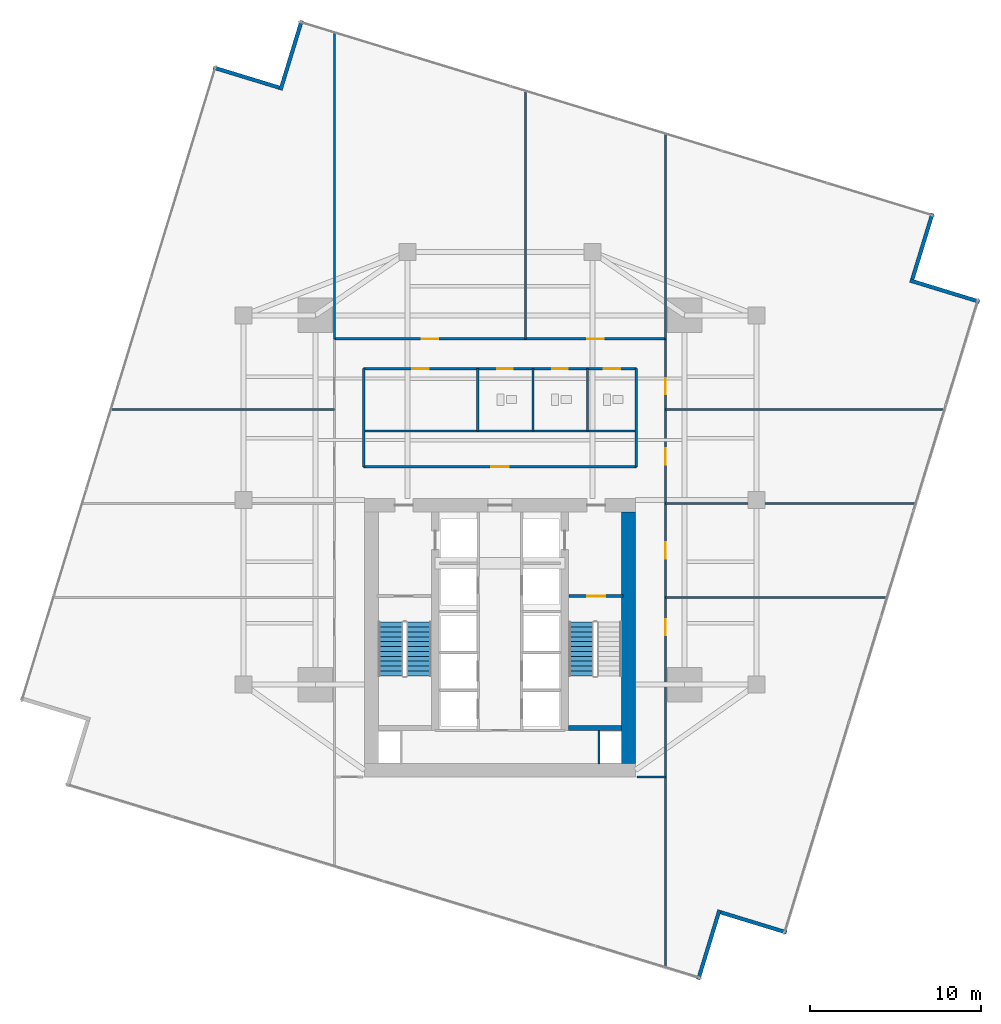
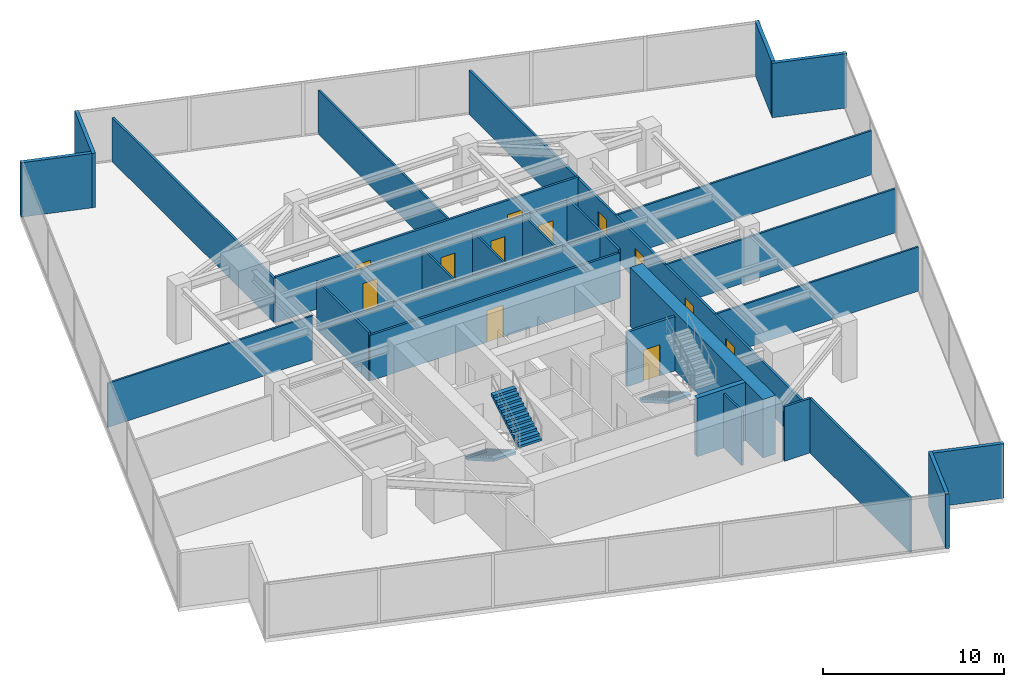
# One storey, part 23 of 26: 29 walls, 12 doors, 3 stair flights, 12 openings, 2 elements without a shape of their own.
"""IFC4 building model written with IfcOpenShell, lengths in metres."""

from ifc_helpers import new_model, si_unit, direction, frame, frame_2d, origin, place, context, subcontext, project, spatial, polyline, rectangle, outline, extrude, material, layer, layer_set, type_object, element, fill, aggregate, save


model = new_model("IFC4")

# Units and contexts
model_context = context("Model", 3, precision=1e-05, world=origin(), true_north=direction((0.0, 1.0)))
body_context = subcontext(model_context, "Body", "Model", "MODEL_VIEW")
ifc_project = project(units=[si_unit("LENGTHUNIT", "METRE"), si_unit("AREAUNIT", "SQUARE_METRE"), si_unit("VOLUMEUNIT", "CUBIC_METRE"), si_unit("PLANEANGLEUNIT", "RADIAN"), si_unit("MASSUNIT", "GRAM", prefix="KILO")], contexts=[model_context])

# Site, building, storey
site_placement = place(None, origin())
site = spatial("IfcSite", under=ifc_project, at=site_placement, CompositionType="ELEMENT")
building_placement = place(site_placement, origin())
building = spatial("IfcBuilding", under=site, at=building_placement, Name="Krantzveldt Concourse Tower", CompositionType="ELEMENT")
storey_placement = place(building_placement, frame((0.0, 0.0, 113.75)))
storey = spatial("IfcBuildingStorey", under=building, at=storey_placement, Name="L27", CompositionType="ELEMENT", Elevation=113.75)

# Walls
ifc_material_1 = material(Name="Anodised aluminium 6063-T6", Category="aluminium")
ifc_layer_1 = layer(ifc_material_1, 0.219970703125, Name="Anodised aluminium 6063-T6", Category="aluminium")
ifc_layer_set_1 = layer_set([ifc_layer_1], Name="Anodised aluminium 6063-T6 (WL-EXT-NOTCH220)")
wall_type_1 = type_object("IfcWallType", Name="WL-EXT-NOTCH220", PredefinedType="ELEMENTEDWALL", material=ifc_layer_set_1)
wall_1_placement = place(storey_placement, frame((23.087646484375, 50.819091796875, 0.0), z_axis=(0.0, 0.0, 1.0), x_axis=(-0.956307298529, 0.292363388235, 0.0)))
element("IfcWall", 1, at=wall_1_placement, inside=storey, type_object=wall_type_1, Name="EW-L27-NCH00", PredefinedType="ELEMENTEDWALL", context=body_context, shape_type="SweptSolid", body=[
    extrude(rectangle(XDim=4.02490234375, YDim=0.219970703125, at=frame_2d((2.012451171875, 0.0))), origin(), (0.0, 0.0, 1.0), 3.669921875),
])
wall_2_placement = place(storey_placement, frame((47.598388671875, -1.34130859375, 0.0), z_axis=(0.0, 0.0, 1.0), x_axis=(0.292335425197, 0.956315846975, 0.0)))
element("IfcWall", 2, at=wall_2_placement, inside=storey, type_object=wall_type_1, Name="EW-L27-NCH05", PredefinedType="ELEMENTEDWALL", context=body_context, shape_type="SweptSolid", body=[
    extrude(rectangle(XDim=4.2451171875, YDim=0.219970703125, at=frame_2d((2.12255859375, 0.0))), origin(), (0.0, 0.0, 1.0), 3.669921875),
])
wall_3_placement = place(storey_placement, frame((48.912353515625, 2.580810546875, 0.0), z_axis=(0.0, 0.0, 1.0), x_axis=(0.956307298529, -0.292363388235, 0.0)))
element("IfcWall", 3, at=wall_3_placement, inside=storey, type_object=wall_type_1, Name="EW-L27-NCH06", PredefinedType="ELEMENTEDWALL", context=body_context, shape_type="SweptSolid", body=[
    extrude(rectangle(XDim=4.02490234375, YDim=0.219970703125, at=frame_2d((2.012451171875, 0.0))), origin(), (0.0, 0.0, 1.0), 3.669921875),
])
wall_4_placement = place(storey_placement, frame((64.041259765625, 38.29833984375, 0.0), z_axis=(0.0, 0.0, 1.0), x_axis=(-0.95629976735, 0.292388021242, 0.0)))
element("IfcWall", 4, at=wall_4_placement, inside=storey, type_object=wall_type_1, Name="EW-L27-NCH08", PredefinedType="ELEMENTEDWALL", context=body_context, shape_type="SweptSolid", body=[
    extrude(rectangle(XDim=4.2451171875, YDim=0.219970703125, at=frame_2d((2.12255859375, 0.0))), origin(), (0.0, 0.0, 1.0), 3.669921875),
])
wall_5_placement = place(storey_placement, frame((60.119140625, 39.612548828125, 0.0), z_axis=(0.0, 0.0, 1.0), x_axis=(0.292363388235, 0.956307298529, 0.0)))
element("IfcWall", 5, at=wall_5_placement, inside=storey, type_object=wall_type_1, Name="EW-L27-NCH09", PredefinedType="ELEMENTEDWALL", context=body_context, shape_type="SweptSolid", body=[
    extrude(rectangle(XDim=4.02490234375, YDim=0.219970703125, at=frame_2d((2.012451171875, 0.0))), origin(), (0.0, 0.0, 1.0), 3.669921875),
])
wall_6_placement = place(storey_placement, frame((24.401611328125, 54.7412109375, 0.0), z_axis=(0.0, 0.0, 1.0), x_axis=(-0.292351504488, -0.956310931561, 0.0)))
element("IfcWall", 6, at=wall_6_placement, inside=storey, type_object=wall_type_1, Name="EW-L27-NCH11", PredefinedType="ELEMENTEDWALL", context=body_context, shape_type="SweptSolid", body=[
    extrude(rectangle(XDim=4.244873046875, YDim=0.219970703125, at=frame_2d((2.12255859375, 0.0))), origin(), (0.0, 0.0, 1.0), 3.669921875),
])
ifc_material_2 = material(Name="Fire-rated gypsum plasterboard on steel stud", Category="steel")
ifc_layer_2 = layer(ifc_material_2, 0.1201171875, Name="Fire-rated gypsum plasterboard on steel stud", Category="steel")
ifc_layer_set_2 = layer_set([ifc_layer_2], Name="Fire-rated gypsum plasterboard on steel stud (WL-PART-120)")
wall_type_2 = type_object("IfcWallType", Name="WL-PART-120", PredefinedType="PARTITIONING", material=ifc_layer_set_2)
wall_7_placement = place(storey_placement, frame((28.02001953125, 30.739990234375, 0.0), z_axis=(0.0, 0.0, 1.0), x_axis=(1.0, 0.0, 0.0)))
element("IfcWall", 7, at=wall_7_placement, inside=storey, type_object=wall_type_2, Name="WP-L27-ISLM", PredefinedType="PARTITIONING", context=body_context, shape_type="SweptSolid", body=[
    extrude(rectangle(XDim=15.9599609375, YDim=0.1201171875, at=frame_2d((7.97998046875, 0.0))), origin(), (0.0, 0.0, 1.0), 3.080078125),
])
for number, where, z_axis, x_axis, name in (
    (8, (37.919921875, 30.739990234375, 0.0), (0.0, 0.0, 1.0), (0.0, 1.0, 0.0), "WP-L27-WCD1"),
    (9, (41.1201171875, 30.739990234375, 0.0), (0.0, 0.0, 1.0), (0.0, 1.0, 0.0), "WP-L27-WCD2"),
    (10, (34.699951171875, 30.739990234375, 0.0), (0.0, 0.0, 1.0), (0.0, 1.0, 0.0), "WP-L27-WCD3"),
):
    element("IfcWall", number, at=place(storey_placement, frame(where, z_axis=z_axis, x_axis=x_axis)), inside=storey, type_object=wall_type_2, Name=name, PredefinedType="PARTITIONING", context=body_context, shape_type="SweptSolid", body=[
        extrude(rectangle(XDim=3.639892578125, YDim=0.1201171875, at=frame_2d((1.81982421875, 0.0))), origin(), (0.0, 0.0, 1.0), 3.169921875),
    ])
wall_8_placement = place(storey_placement, frame((37.5, 36.1201171875, 0.0), z_axis=(0.0, 0.0, 1.0), x_axis=(0.0, 1.0, 0.0)))
element("IfcWall", 11, at=wall_8_placement, inside=storey, type_object=wall_type_2, Name="WP-L27-ND1", PredefinedType="PARTITIONING", context=body_context, shape_type="SweptSolid", body=[
    extrude(rectangle(XDim=14.496337890625, YDim=0.1201171875, at=frame_2d((7.248046875, 0.0))), origin(), (0.0, 0.0, 1.0), 2.969970703125),
])
wall_9_placement = place(storey_placement, frame((13.245361328125, 32.0, 0.0), z_axis=(0.0, 0.0, 1.0), x_axis=(1.0, 0.0, 0.0)))
element("IfcWall", 12, at=wall_9_placement, inside=storey, type_object=wall_type_2, Name="WP-L27-WD3", PredefinedType="PARTITIONING", context=body_context, shape_type="SweptSolid", body=[
    extrude(rectangle(XDim=13.07470703125, YDim=0.1201171875, at=frame_2d((6.537353515625, 0.0))), origin(), (0.0, 0.0, 1.0), 2.969970703125),
])
wall_10_placement = place(storey_placement, frame((45.679931640625, 21.0, 0.0), z_axis=(0.0, 0.0, 1.0), x_axis=(1.0, 0.0, 0.0)))
element("IfcWall", 13, at=wall_10_placement, inside=storey, type_object=wall_type_2, Name="WP-L27-ED1", PredefinedType="PARTITIONING", context=body_context, shape_type="SweptSolid", body=[
    extrude(rectangle(XDim=12.952392578125, YDim=0.1201171875, at=frame_2d((6.47607421875, 0.0))), origin(), (0.0, 0.0, 1.0), 2.969970703125),
])
wall_11_placement = place(storey_placement, frame((45.679931640625, 26.5, 0.0), z_axis=(0.0, 0.0, 1.0), x_axis=(1.0, 0.0, 0.0)))
element("IfcWall", 14, at=wall_11_placement, inside=storey, type_object=wall_type_2, Name="WP-L27-ED2", PredefinedType="PARTITIONING", context=body_context, shape_type="SweptSolid", body=[
    extrude(rectangle(XDim=14.634033203125, YDim=0.1201171875, at=frame_2d((7.31689453125, 0.0))), origin(), (0.0, 0.0, 1.0), 2.969970703125),
])
wall_12_placement = place(storey_placement, frame((45.679931640625, 32.0, 0.0), z_axis=(0.0, 0.0, 1.0), x_axis=(1.0, 0.0, 0.0)))
element("IfcWall", 15, at=wall_12_placement, inside=storey, type_object=wall_type_2, Name="WP-L27-ED3", PredefinedType="PARTITIONING", context=body_context, shape_type="SweptSolid", body=[
    extrude(rectangle(XDim=16.3154296875, YDim=0.1201171875, at=frame_2d((8.15771484375, 0.0))), origin(), (0.0, 0.0, 1.0), 2.969970703125),
])

# Wall, opening, door
ifc_layer_3 = layer(ifc_material_2, 0.139892578125, Name="Fire-rated gypsum plasterboard on steel stud", Category="steel")
ifc_layer_set_3 = layer_set([ifc_layer_3], Name="Fire-rated gypsum plasterboard on steel stud (WL-PART-140)")
wall_type_3 = type_object("IfcWallType", Name="WL-PART-140", PredefinedType="PARTITIONING", material=ifc_layer_set_3)
wall_13_placement = place(storey_placement, frame((28.02001953125, 28.639892578125, 0.0), z_axis=(0.0, 0.0, 1.0), x_axis=(1.0, 0.0, 0.0)))
wall_13 = element("IfcWall", 16, at=wall_13_placement, inside=storey, type_object=wall_type_3, Name="WP-L27-ISLS", PredefinedType="PARTITIONING", context=body_context, shape_type="SweptSolid", body=[
    extrude(rectangle(XDim=15.9599609375, YDim=0.139892578125, at=frame_2d((7.97998046875, 0.0))), origin(), (0.0, 0.0, 1.0), 3.080078125),
])
opening_1_placement = place(wall_13_placement, frame((7.455078125, 0.0, 0.0)))
opening_1 = element("IfcOpeningElement", 17, at=opening_1_placement, cuts=wall_13, Name="Opening D-IN105", PredefinedType="OPENING", context=body_context, shape_type="SweptSolid", body=[
    extrude(rectangle(XDim=1.050048828125, YDim=2.14990234375, at=frame_2d((0.52490234375, 1.074951171875))), frame((0.0, 0.080078125, 0.0), z_axis=(0.0, -1.0, 0.0), x_axis=(1.0, 0.0, 0.0)), (0.0, 0.0, 1.0), 0.159912109375),
])
ifc_material_3 = material(Name="Hardwood timber", Category="wood")
door_type_1 = type_object("IfcDoorType", Name="DR-INT-1050", OperationType="SINGLE_SWING_LEFT", PredefinedType="DOOR", material=ifc_material_3)
door_1_placement = place(opening_1_placement, origin())
door_1 = element("IfcDoor", 18, at=door_1_placement, inside=storey, type_object=door_type_1, Name="DR-L27-MIDB", OperationType="SINGLE_SWING_LEFT", OverallHeight=2.14990234375, OverallWidth=1.050048828125, PredefinedType="DOOR", context=body_context, shape_type="SweptSolid", body=[
    extrude(rectangle(XDim=1.050048828125, YDim=2.14990234375, at=frame_2d((0.52490234375, 1.074951171875))), frame((0.0, 0.02490234375, 0.0), z_axis=(0.0, -1.0, 0.0), x_axis=(1.0, 0.0, 0.0)), (0.0, 0.0, 1.0), 0.050048828125),
])
fill(opening_1, door_1)

# Wall, openings, doors
wall_14_placement = place(storey_placement, frame((28.02001953125, 34.3798828125, 0.0), z_axis=(0.0, 0.0, 1.0), x_axis=(1.0, 0.0, 0.0)))
wall_14 = element("IfcWall", 19, at=wall_14_placement, inside=storey, type_object=wall_type_3, Name="WP-L27-ISLN", PredefinedType="PARTITIONING", context=body_context, shape_type="SweptSolid", body=[
    extrude(rectangle(XDim=15.9599609375, YDim=0.139892578125, at=frame_2d((7.97998046875, 0.0))), origin(), (0.0, 0.0, 1.0), 3.080078125),
])
opening_2_placement = place(wall_14_placement, frame((7.830078125, 0.0, 0.0)))
opening_2 = element("IfcOpeningElement", 20, at=opening_2_placement, cuts=wall_14, Name="Opening D-IN090", PredefinedType="OPENING", context=body_context, shape_type="SweptSolid", body=[
    extrude(rectangle(XDim=0.89990234375, YDim=2.10009765625, at=frame_2d((0.449951171875, 1.050048828125))), frame((0.0, 0.080078125, 0.0), z_axis=(0.0, -1.0, 0.0), x_axis=(1.0, 0.0, 0.0)), (0.0, 0.0, 1.0), 0.159912109375),
])
opening_3_placement = place(wall_14_placement, frame((11.030029296875, 0.0, 0.0)))
opening_3 = element("IfcOpeningElement", 21, at=opening_3_placement, cuts=wall_14, Name="Opening D-IN090", PredefinedType="OPENING", context=body_context, shape_type="SweptSolid", body=[
    extrude(rectangle(XDim=0.89990234375, YDim=2.10009765625, at=frame_2d((0.449951171875, 1.050048828125))), frame((0.0, 0.080078125, 0.0), z_axis=(0.0, -1.0, 0.0), x_axis=(1.0, 0.0, 0.0)), (0.0, 0.0, 1.0), 0.159912109375),
])
opening_4_placement = place(wall_14_placement, frame((14.054931640625, 0.0, 0.0)))
opening_4 = element("IfcOpeningElement", 22, at=opening_4_placement, cuts=wall_14, Name="Opening D-IN095", PredefinedType="OPENING", context=body_context, shape_type="SweptSolid", body=[
    extrude(rectangle(XDim=0.949951171875, YDim=2.10009765625, at=frame_2d((0.47509765625, 1.050048828125))), frame((0.0, 0.080078125, 0.0), z_axis=(0.0, -1.0, 0.0), x_axis=(1.0, 0.0, 0.0)), (0.0, 0.0, 1.0), 0.159912109375),
])
opening_5_placement = place(wall_14_placement, frame((2.85498046875, 0.0, 0.0)))
opening_5 = element("IfcOpeningElement", 23, at=opening_5_placement, cuts=wall_14, Name="Opening D-IN095", PredefinedType="OPENING", context=body_context, shape_type="SweptSolid", body=[
    extrude(rectangle(XDim=0.949951171875, YDim=2.10009765625, at=frame_2d((0.47509765625, 1.050048828125))), frame((0.0, 0.080078125, 0.0), z_axis=(0.0, -1.0, 0.0), x_axis=(1.0, 0.0, 0.0)), (0.0, 0.0, 1.0), 0.159912109375),
])
door_type_2 = type_object("IfcDoorType", Name="DR-INT-900", OperationType="SINGLE_SWING_LEFT", PredefinedType="DOOR", material=ifc_material_3)
door_2_placement = place(opening_2_placement, origin())
door_2 = element("IfcDoor", 24, at=door_2_placement, inside=storey, type_object=door_type_2, Name="DR-L27-WCM", OperationType="SINGLE_SWING_LEFT", OverallHeight=2.10009765625, OverallWidth=0.89990234375, PredefinedType="DOOR", context=body_context, shape_type="SweptSolid", body=[
    extrude(rectangle(XDim=0.89990234375, YDim=2.10009765625, at=frame_2d((0.449951171875, 1.050048828125))), frame((0.0, 0.02490234375, 0.0), z_axis=(0.0, -1.0, 0.0), x_axis=(1.0, 0.0, 0.0)), (0.0, 0.0, 1.0), 0.050048828125),
])
fill(opening_2, door_2)
door_3_placement = place(opening_3_placement, origin())
door_3 = element("IfcDoor", 25, at=door_3_placement, inside=storey, type_object=door_type_2, Name="DR-L27-WCF", OperationType="SINGLE_SWING_RIGHT", OverallHeight=2.10009765625, OverallWidth=0.89990234375, PredefinedType="DOOR", context=body_context, shape_type="SweptSolid", body=[
    extrude(rectangle(XDim=0.89990234375, YDim=2.10009765625, at=frame_2d((0.449951171875, 1.050048828125))), frame((0.0, 0.02490234375, 0.0), z_axis=(0.0, -1.0, 0.0), x_axis=(1.0, 0.0, 0.0)), (0.0, 0.0, 1.0), 0.050048828125),
])
fill(opening_3, door_3)
door_type_3 = type_object("IfcDoorType", Name="DR-INT-950", OperationType="SINGLE_SWING_LEFT", PredefinedType="DOOR", material=ifc_material_3)
door_4_placement = place(opening_4_placement, origin())
door_4 = element("IfcDoor", 26, at=door_4_placement, inside=storey, type_object=door_type_3, Name="DR-L27-WCA", OperationType="SINGLE_SWING_LEFT", OverallHeight=2.10009765625, OverallWidth=0.949951171875, PredefinedType="DOOR", context=body_context, shape_type="SweptSolid", body=[
    extrude(rectangle(XDim=0.949951171875, YDim=2.10009765625, at=frame_2d((0.47509765625, 1.050048828125))), frame((0.0, 0.02490234375, 0.0), z_axis=(0.0, -1.0, 0.0), x_axis=(1.0, 0.0, 0.0)), (0.0, 0.0, 1.0), 0.050048828125),
])
fill(opening_4, door_4)
door_5_placement = place(opening_5_placement, origin())
door_5 = element("IfcDoor", 27, at=door_5_placement, inside=storey, type_object=door_type_3, Name="DR-L27-PNT", OperationType="SINGLE_SWING_RIGHT", OverallHeight=2.10009765625, OverallWidth=0.949951171875, PredefinedType="DOOR", context=body_context, shape_type="SweptSolid", body=[
    extrude(rectangle(XDim=0.949951171875, YDim=2.10009765625, at=frame_2d((0.47509765625, 1.050048828125))), frame((0.0, 0.02490234375, 0.0), z_axis=(0.0, -1.0, 0.0), x_axis=(1.0, 0.0, 0.0)), (0.0, 0.0, 1.0), 0.050048828125),
])
fill(opening_5, door_5)

# Walls
for number, where, z_axis, x_axis, name in (
    (28, (28.02001953125, 28.639892578125, 0.0), (0.0, 0.0, 1.0), (0.0, 1.0, 0.0), "WP-L27-ISLW"),
    (29, (43.97998046875, 28.639892578125, 0.0), (0.0, 0.0, 1.0), (0.0, 1.0, 0.0), "WP-L27-ISLE"),
):
    element("IfcWall", number, at=place(storey_placement, frame(where, z_axis=z_axis, x_axis=x_axis)), inside=storey, type_object=wall_type_3, Name=name, PredefinedType="PARTITIONING", context=body_context, shape_type="SweptSolid", body=[
        extrude(rectangle(XDim=5.739990234375, YDim=0.139892578125, at=frame_2d((2.8701171875, 0.0))), origin(), (0.0, 0.0, 1.0), 3.27001953125),
    ])

# Wall, openings, doors
wall_15_placement = place(storey_placement, frame((26.320068359375, 36.1201171875, 0.0), z_axis=(0.0, 0.0, 1.0), x_axis=(1.0, 0.0, 0.0)))
wall_15 = element("IfcWall", 30, at=wall_15_placement, inside=storey, type_object=wall_type_3, Name="WP-L27-CTOP", PredefinedType="PARTITIONING", context=body_context, shape_type="SweptSolid", body=[
    extrude(rectangle(XDim=19.35986328125, YDim=0.139892578125, at=frame_2d((9.679931640625, 0.0))), origin(), (0.0, 0.0, 1.0), 3.080078125),
])
opening_6_placement = place(wall_15_placement, frame((5.114990234375, 0.0, 0.0)))
opening_6 = element("IfcOpeningElement", 31, at=opening_6_placement, cuts=wall_15, Name="Opening D-IN095", PredefinedType="OPENING", context=body_context, shape_type="SweptSolid", body=[
    extrude(rectangle(XDim=0.949951171875, YDim=2.10009765625, at=frame_2d((0.47509765625, 1.050048828125))), frame((0.0, 0.080078125, 0.0), z_axis=(0.0, -1.0, 0.0), x_axis=(1.0, 0.0, 0.0)), (0.0, 0.0, 1.0), 0.159912109375),
])
opening_7_placement = place(wall_15_placement, frame((14.794921875, 0.0, 0.0)))
opening_7 = element("IfcOpeningElement", 32, at=opening_7_placement, cuts=wall_15, Name="Opening D-IN095", PredefinedType="OPENING", context=body_context, shape_type="SweptSolid", body=[
    extrude(rectangle(XDim=0.949951171875, YDim=2.10009765625, at=frame_2d((0.47509765625, 1.050048828125))), frame((0.0, 0.080078125, 0.0), z_axis=(0.0, -1.0, 0.0), x_axis=(1.0, 0.0, 0.0)), (0.0, 0.0, 1.0), 0.159912109375),
])
door_6_placement = place(opening_6_placement, origin())
door_6 = element("IfcDoor", 33, at=door_6_placement, inside=storey, type_object=door_type_3, Name="DR-L27-NR1", OperationType="SINGLE_SWING_LEFT", OverallHeight=2.10009765625, OverallWidth=0.949951171875, PredefinedType="DOOR", context=body_context, shape_type="SweptSolid", body=[
    extrude(rectangle(XDim=0.949951171875, YDim=2.10009765625, at=frame_2d((0.47509765625, 1.050048828125))), frame((0.0, 0.02490234375, 0.0), z_axis=(0.0, -1.0, 0.0), x_axis=(1.0, 0.0, 0.0)), (0.0, 0.0, 1.0), 0.050048828125),
])
fill(opening_6, door_6)
door_7_placement = place(opening_7_placement, origin())
door_7 = element("IfcDoor", 34, at=door_7_placement, inside=storey, type_object=door_type_3, Name="DR-L27-NR2", OperationType="SINGLE_SWING_LEFT", OverallHeight=2.10009765625, OverallWidth=0.949951171875, PredefinedType="DOOR", context=body_context, shape_type="SweptSolid", body=[
    extrude(rectangle(XDim=0.949951171875, YDim=2.10009765625, at=frame_2d((0.47509765625, 1.050048828125))), frame((0.0, 0.02490234375, 0.0), z_axis=(0.0, -1.0, 0.0), x_axis=(1.0, 0.0, 0.0)), (0.0, 0.0, 1.0), 0.050048828125),
])
fill(opening_7, door_7)

wall_16_placement = place(storey_placement, frame((45.679931640625, 10.5, 0.0), z_axis=(0.0, 0.0, 1.0), x_axis=(0.0, 1.0, 0.0)))
wall_16 = element("IfcWall", 35, at=wall_16_placement, inside=storey, type_object=wall_type_3, Name="WP-L27-CEAST", PredefinedType="PARTITIONING", context=body_context, shape_type="SweptSolid", body=[
    extrude(rectangle(XDim=25.6201171875, YDim=0.139892578125, at=frame_2d((12.81005859375, 0.0))), origin(), (0.0, 0.0, 1.0), 2.969970703125),
])
opening_8_placement = place(wall_16_placement, frame((8.27490234375, 0.0, 0.0)))
opening_8 = element("IfcOpeningElement", 36, at=opening_8_placement, cuts=wall_16, Name="Opening D-IN095", PredefinedType="OPENING", context=body_context, shape_type="SweptSolid", body=[
    extrude(rectangle(XDim=0.949951171875, YDim=2.10009765625, at=frame_2d((0.47509765625, 1.050048828125))), frame((0.0, 0.080078125, 0.0), z_axis=(0.0, -1.0, 0.0), x_axis=(1.0, 0.0, 0.0)), (0.0, 0.0, 1.0), 0.159912109375),
])
opening_9_placement = place(wall_16_placement, frame((12.77490234375, 0.0, 0.0)))
opening_9 = element("IfcOpeningElement", 37, at=opening_9_placement, cuts=wall_16, Name="Opening D-IN095", PredefinedType="OPENING", context=body_context, shape_type="SweptSolid", body=[
    extrude(rectangle(XDim=0.949951171875, YDim=2.10009765625, at=frame_2d((0.47509765625, 1.050048828125))), frame((0.0, 0.080078125, 0.0), z_axis=(0.0, -1.0, 0.0), x_axis=(1.0, 0.0, 0.0)), (0.0, 0.0, 1.0), 0.159912109375),
])
opening_10_placement = place(wall_16_placement, frame((18.27490234375, 0.0, 0.0)))
opening_10 = element("IfcOpeningElement", 38, at=opening_10_placement, cuts=wall_16, Name="Opening D-IN095", PredefinedType="OPENING", context=body_context, shape_type="SweptSolid", body=[
    extrude(rectangle(XDim=0.949951171875, YDim=2.10009765625, at=frame_2d((0.47509765625, 1.050048828125))), frame((0.0, 0.080078125, 0.0), z_axis=(0.0, -1.0, 0.0), x_axis=(1.0, 0.0, 0.0)), (0.0, 0.0, 1.0), 0.159912109375),
])
opening_11_placement = place(wall_16_placement, frame((22.375, 0.0, 0.0)))
opening_11 = element("IfcOpeningElement", 39, at=opening_11_placement, cuts=wall_16, Name="Opening D-IN095", PredefinedType="OPENING", context=body_context, shape_type="SweptSolid", body=[
    extrude(rectangle(XDim=0.949951171875, YDim=2.10009765625, at=frame_2d((0.47509765625, 1.050048828125))), frame((0.0, 0.080078125, 0.0), z_axis=(0.0, -1.0, 0.0), x_axis=(1.0, 0.0, 0.0)), (0.0, 0.0, 1.0), 0.159912109375),
])
door_8_placement = place(opening_8_placement, origin())
door_8 = element("IfcDoor", 40, at=door_8_placement, inside=storey, type_object=door_type_3, Name="DR-L27-ER1", OperationType="SINGLE_SWING_LEFT", OverallHeight=2.10009765625, OverallWidth=0.949951171875, PredefinedType="DOOR", context=body_context, shape_type="SweptSolid", body=[
    extrude(rectangle(XDim=0.949951171875, YDim=2.10009765625, at=frame_2d((0.47509765625, 1.050048828125))), frame((0.0, 0.02490234375, 0.0), z_axis=(0.0, -1.0, 0.0), x_axis=(1.0, 0.0, 0.0)), (0.0, 0.0, 1.0), 0.050048828125),
])
fill(opening_8, door_8)
door_9_placement = place(opening_9_placement, origin())
door_9 = element("IfcDoor", 41, at=door_9_placement, inside=storey, type_object=door_type_3, Name="DR-L27-ER2", OperationType="SINGLE_SWING_LEFT", OverallHeight=2.10009765625, OverallWidth=0.949951171875, PredefinedType="DOOR", context=body_context, shape_type="SweptSolid", body=[
    extrude(rectangle(XDim=0.949951171875, YDim=2.10009765625, at=frame_2d((0.47509765625, 1.050048828125))), frame((0.0, 0.02490234375, 0.0), z_axis=(0.0, -1.0, 0.0), x_axis=(1.0, 0.0, 0.0)), (0.0, 0.0, 1.0), 0.050048828125),
])
fill(opening_9, door_9)
door_10_placement = place(opening_10_placement, origin())
door_10 = element("IfcDoor", 42, at=door_10_placement, inside=storey, type_object=door_type_3, Name="DR-L27-ER3", OperationType="SINGLE_SWING_LEFT", OverallHeight=2.10009765625, OverallWidth=0.949951171875, PredefinedType="DOOR", context=body_context, shape_type="SweptSolid", body=[
    extrude(rectangle(XDim=0.949951171875, YDim=2.10009765625, at=frame_2d((0.47509765625, 1.050048828125))), frame((0.0, 0.02490234375, 0.0), z_axis=(0.0, -1.0, 0.0), x_axis=(1.0, 0.0, 0.0)), (0.0, 0.0, 1.0), 0.050048828125),
])
fill(opening_10, door_10)
door_11_placement = place(opening_11_placement, origin())
door_11 = element("IfcDoor", 43, at=door_11_placement, inside=storey, type_object=door_type_3, Name="DR-L27-ER4", OperationType="SINGLE_SWING_LEFT", OverallHeight=2.10009765625, OverallWidth=0.949951171875, PredefinedType="DOOR", context=body_context, shape_type="SweptSolid", body=[
    extrude(rectangle(XDim=0.949951171875, YDim=2.10009765625, at=frame_2d((0.47509765625, 1.050048828125))), frame((0.0, 0.02490234375, 0.0), z_axis=(0.0, -1.0, 0.0), x_axis=(1.0, 0.0, 0.0)), (0.0, 0.0, 1.0), 0.050048828125),
])
fill(opening_11, door_11)

# Walls
wall_17_placement = place(storey_placement, frame((44.0, 10.5, 0.0), z_axis=(0.0, 0.0, 1.0), x_axis=(1.0, 0.0, 0.0)))
element("IfcWall", 44, at=wall_17_placement, inside=storey, type_object=wall_type_3, Name="WP-L27-CEBOT", PredefinedType="PARTITIONING", context=body_context, shape_type="SweptSolid", body=[
    extrude(rectangle(XDim=1.679931640625, YDim=0.139892578125, at=frame_2d((0.83984375, 0.0))), origin(), (0.0, 0.0, 1.0), 3.669921875),
])
wall_18_placement = place(storey_placement, frame((26.320068359375, 36.1201171875, 0.0), z_axis=(0.0, 0.0, 1.0), x_axis=(0.0, 1.0, 0.0)))
element("IfcWall", 45, at=wall_18_placement, inside=storey, type_object=wall_type_3, Name="WP-L27-NWL", PredefinedType="PARTITIONING", context=body_context, shape_type="SweptSolid", body=[
    extrude(rectangle(XDim=17.914306640625, YDim=0.139892578125, at=frame_2d((8.95703125, 0.0))), origin(), (0.0, 0.0, 1.0), 2.969970703125),
])
wall_19_placement = place(storey_placement, frame((45.679931640625, 36.1201171875, 0.0), z_axis=(0.0, 0.0, 1.0), x_axis=(0.0, 1.0, 0.0)))
element("IfcWall", 46, at=wall_19_placement, inside=storey, type_object=wall_type_3, Name="WP-L27-NER", PredefinedType="PARTITIONING", context=body_context, shape_type="SweptSolid", body=[
    extrude(rectangle(XDim=11.995361328125, YDim=0.139892578125, at=frame_2d((5.99755859375, 0.0))), origin(), (0.0, 0.0, 1.0), 2.969970703125),
])
wall_20_placement = place(storey_placement, frame((45.679931640625, -0.634521484375, 0.0), z_axis=(0.0, 0.0, 1.0), x_axis=(0.0, 1.0, 0.0)))
element("IfcWall", 47, at=wall_20_placement, inside=storey, type_object=wall_type_3, Name="WP-L27-SER", PredefinedType="PARTITIONING", context=body_context, shape_type="SweptSolid", body=[
    extrude(rectangle(XDim=11.134521484375, YDim=0.139892578125, at=frame_2d((5.5673828125, 0.0))), origin(), (0.0, 0.0, 1.0), 3.669921875),
])
ifc_layer_4 = layer(ifc_material_2, 0.139892578125, Name="Fire-rated gypsum plasterboard on steel stud", Category="steel")
ifc_layer_set_4 = layer_set([ifc_layer_4], Name="Fire-rated gypsum plasterboard on steel stud (WL-PART-FR140)")
wall_type_4 = type_object("IfcWallType", Name="WL-PART-FR140", PredefinedType="PARTITIONING", material=ifc_layer_set_4)
wall_21_placement = place(storey_placement, frame((41.780029296875, 11.25, 0.0), z_axis=(0.0, 0.0, 1.0), x_axis=(0.0, 1.0, 0.0)))
element("IfcWall", 48, at=wall_21_placement, inside=storey, type_object=wall_type_4, Name="WP-L27-RSE", PredefinedType="PARTITIONING", context=body_context, shape_type="SweptSolid", body=[
    extrude(rectangle(XDim=1.969970703125, YDim=0.1201171875, at=frame_2d((0.98486328125, 0.0))), origin(), (0.0, 0.0, 1.0), 3.669921875),
])

# Wall, opening, door
ifc_layer_5 = layer(ifc_material_2, 0.159912109375, Name="Fire-rated gypsum plasterboard on steel stud", Category="steel")
ifc_layer_set_5 = layer_set([ifc_layer_5], Name="Fire-rated gypsum plasterboard on steel stud (WL-PART-FR160)")
wall_type_5 = type_object("IfcWallType", Name="WL-PART-FR160", PredefinedType="PARTITIONING", material=ifc_layer_set_5)
wall_22_placement = place(storey_placement, frame((40.0400390625, 21.080078125, 0.0), z_axis=(0.0, 0.0, 1.0), x_axis=(1.0, 0.0, 0.0)))
wall_22 = element("IfcWall", 49, at=wall_22_placement, inside=storey, type_object=wall_type_5, Name="WP-L27-ST2", PredefinedType="PARTITIONING", context=body_context, shape_type="SweptSolid", body=[
    extrude(rectangle(XDim=3.159912109375, YDim=0.159912109375, at=frame_2d((1.580078125, 0.0))), origin(), (0.0, 0.0, 1.0), 3.669921875),
])
opening_12_placement = place(wall_22_placement, frame((1.054931640625, 0.0, 0.0)))
opening_12 = element("IfcOpeningElement", 50, at=opening_12_placement, cuts=wall_22, Name="Opening D-FD105", PredefinedType="OPENING", context=body_context, shape_type="SweptSolid", body=[
    extrude(rectangle(XDim=1.050048828125, YDim=2.10009765625, at=frame_2d((0.52490234375, 1.050048828125))), frame((0.0, 0.08984375, 0.0), z_axis=(0.0, -1.0, 0.0), x_axis=(1.0, 0.0, 0.0)), (0.0, 0.0, 1.0), 0.179931640625),
])
ifc_material_4 = material(Name="Galvanised steel", Category="steel")
door_type_4 = type_object("IfcDoorType", Name="DR-FD120-1050", OperationType="SINGLE_SWING_LEFT", PredefinedType="DOOR", material=ifc_material_4)
door_12_placement = place(opening_12_placement, origin())
door_12 = element("IfcDoor", 51, at=door_12_placement, inside=storey, type_object=door_type_4, Name="DR-L27-ST2", OperationType="SINGLE_SWING_LEFT", OverallHeight=2.10009765625, OverallWidth=1.050048828125, PredefinedType="DOOR", context=body_context, shape_type="SweptSolid", body=[
    extrude(rectangle(XDim=1.050048828125, YDim=2.10009765625, at=frame_2d((0.52490234375, 1.050048828125))), frame((0.0, 0.02490234375, 0.0), z_axis=(0.0, -1.0, 0.0), x_axis=(1.0, 0.0, 0.0)), (0.0, 0.0, 1.0), 0.050048828125),
])
fill(opening_12, door_12)

# Walls
ifc_material_5 = material(Name="Concrete C50/60", Category="concrete")
ifc_layer_6 = layer(ifc_material_5, 0.300048828125, Name="Concrete C50/60", Category="concrete")
ifc_layer_set_6 = layer_set([ifc_layer_6], Name="Concrete C50/60 (WL-SHEAR-300)")
wall_type_6 = type_object("IfcWallType", Name="WL-SHEAR-300", PredefinedType="SHEAR", material=ifc_layer_set_6)
wall_23_placement = place(storey_placement, frame((40.02001953125, 13.3701171875, 0.0), z_axis=(0.0, 0.0, 1.0), x_axis=(1.0, 0.0, 0.0)))
element("IfcWall", 52, at=wall_23_placement, inside=storey, type_object=wall_type_6, Name="CW-L27-ST2S", PredefinedType="SHEAR", context=body_context, shape_type="SweptSolid", body=[
    extrude(rectangle(XDim=3.10009765625, YDim=0.300048828125, at=frame_2d((1.550048828125, 0.0))), origin(), (0.0, 0.0, 1.0), 3.949951171875),
])
ifc_material_6 = material(Name="Concrete C60/75", Category="concrete")
ifc_layer_7 = layer(ifc_material_6, 0.800048828125, Name="Concrete C60/75", Category="concrete")
ifc_layer_set_7 = layer_set([ifc_layer_7], Name="Concrete C60/75 (WL-SHEAR-800)")
wall_type_7 = type_object("IfcWallType", Name="WL-SHEAR-800", PredefinedType="SHEAR", material=ifc_layer_set_7)
wall_24_placement = place(storey_placement, frame((43.52001953125, 11.300048828125, 0.0), z_axis=(0.0, 0.0, 1.0), x_axis=(0.0, 1.0, 0.0)))
element("IfcWall", 53, at=wall_24_placement, inside=storey, type_object=wall_type_7, Name="CW-L27-E", PredefinedType="SHEAR", context=body_context, shape_type="SweptSolid", body=[
    extrude(rectangle(XDim=14.699951171875, YDim=0.800048828125, at=frame_2d((7.35009765625, 0.0))), origin(), (0.0, 0.0, 1.0), 3.949951171875),
])

# Stair, stair flights
ifc_material_7 = material(Name="Precast concrete C40/50", Category="concrete")
stair_type = type_object("IfcStairType", Name="STR-CORE-DOGLEG", PredefinedType="HALF_TURN_STAIR", material=ifc_material_7)
stair_1_placement = place(storey_placement, origin())
stair_1 = element("IfcStair", 54, at=stair_1_placement, inside=storey, type_object=stair_type, Name="L27 Protected Escape Stair ST-1", PredefinedType="HALF_TURN_STAIR")
stair_flight_type = type_object("IfcStairFlightType", Name="STF-CORE-1450", PredefinedType="STRAIGHT", material=ifc_material_7)
stair_flight_1_placement = place(storey_placement, frame((29.60498046875, 19.550048828125, 0.0), z_axis=(0.0, 0.0, 1.0), x_axis=(0.0, -1.0, 0.0)))
stair_flight_1 = element("IfcStairFlight", 55, at=stair_flight_1_placement, type_object=stair_flight_type, Name="ST-1 flight 1", NumberOfRisers=12, NumberOfTreads=11, PredefinedType="STRAIGHT", RiserHeight=0.164583333, TreadLength=0.285, context=body_context, shape_type="SweptSolid", body=[
    extrude(outline(polyline([(0.0, 0.0), (0.0, 0.16455078125), (0.284912109375, 0.16455078125), (0.284912109375, 0.3291015625), (0.570068359375, 0.3291015625), (0.570068359375, 0.49365234375), (0.85498046875, 0.49365234375), (0.85498046875, 0.658447265625), (1.139892578125, 0.658447265625), (1.139892578125, 0.822998046875), (1.425048828125, 0.822998046875), (1.425048828125, 0.987548828125), (1.7099609375, 0.987548828125), (1.7099609375, 1.152099609375), (1.9951171875, 1.152099609375), (1.9951171875, 1.316650390625), (2.280029296875, 1.316650390625), (2.280029296875, 1.481201171875), (2.56494140625, 1.481201171875), (2.56494140625, 1.645751953125), (2.85009765625, 1.645751953125), (2.85009765625, 1.810302734375), (3.135009765625, 1.810302734375), (3.135009765625, 1.97509765625), (3.135009765625, 1.63720703125), (0.2998046875, 0.0), (0.0, 0.0)])), frame((0.0, 0.72509765625, 0.0), z_axis=(0.0, -1.0, 0.0), x_axis=(1.0, 0.0, 0.0)), (0.0, 0.0, 1.0), 1.449951171875),
])
stair_flight_2_placement = place(storey_placement, frame((31.2548828125, 16.4150390625, 1.97509765625), z_axis=(0.0, 0.0, 1.0), x_axis=(0.0, 1.0, 0.0)))
stair_flight_2 = element("IfcStairFlight", 56, at=stair_flight_2_placement, type_object=stair_flight_type, Name="ST-1 flight 2", NumberOfRisers=12, NumberOfTreads=11, PredefinedType="STRAIGHT", RiserHeight=0.164583333, TreadLength=0.285, context=body_context, shape_type="SweptSolid", body=[
    extrude(outline(polyline([(0.0, 0.0), (0.0, 0.16455078125), (0.284912109375, 0.16455078125), (0.284912109375, 0.3291015625), (0.570068359375, 0.3291015625), (0.570068359375, 0.49365234375), (0.85498046875, 0.49365234375), (0.85498046875, 0.658447265625), (1.139892578125, 0.658447265625), (1.139892578125, 0.822998046875), (1.425048828125, 0.822998046875), (1.425048828125, 0.987548828125), (1.7099609375, 0.987548828125), (1.7099609375, 1.152099609375), (1.9951171875, 1.152099609375), (1.9951171875, 1.316650390625), (2.280029296875, 1.316650390625), (2.280029296875, 1.481201171875), (2.56494140625, 1.481201171875), (2.56494140625, 1.645751953125), (2.85009765625, 1.645751953125), (2.85009765625, 1.810302734375), (3.135009765625, 1.810302734375), (3.135009765625, 1.97509765625), (3.135009765625, 1.63720703125), (0.2998046875, 0.0), (0.0, 0.0)])), frame((0.0, 0.72509765625, 0.0), z_axis=(0.0, -1.0, 0.0), x_axis=(1.0, 0.0, 0.0)), (0.0, 0.0, 1.0), 1.449951171875),
])
aggregate(stair_1, [stair_flight_1, stair_flight_2])

# Stair, stair flight
stair_2_placement = place(storey_placement, origin())
stair_2 = element("IfcStair", 57, at=stair_2_placement, inside=storey, type_object=stair_type, Name="L27 Protected Escape Stair ST-2", PredefinedType="HALF_TURN_STAIR")
stair_flight_3_placement = place(storey_placement, frame((40.7451171875, 19.550048828125, 0.0), z_axis=(0.0, 0.0, 1.0), x_axis=(0.0, -1.0, 0.0)))
stair_flight_3 = element("IfcStairFlight", 58, at=stair_flight_3_placement, type_object=stair_flight_type, Name="ST-2 flight 1", NumberOfRisers=12, NumberOfTreads=11, PredefinedType="STRAIGHT", RiserHeight=0.164583333, TreadLength=0.285, context=body_context, shape_type="SweptSolid", body=[
    extrude(outline(polyline([(0.0, 0.0), (0.0, 0.16455078125), (0.284912109375, 0.16455078125), (0.284912109375, 0.3291015625), (0.570068359375, 0.3291015625), (0.570068359375, 0.49365234375), (0.85498046875, 0.49365234375), (0.85498046875, 0.658447265625), (1.139892578125, 0.658447265625), (1.139892578125, 0.822998046875), (1.425048828125, 0.822998046875), (1.425048828125, 0.987548828125), (1.7099609375, 0.987548828125), (1.7099609375, 1.152099609375), (1.9951171875, 1.152099609375), (1.9951171875, 1.316650390625), (2.280029296875, 1.316650390625), (2.280029296875, 1.481201171875), (2.56494140625, 1.481201171875), (2.56494140625, 1.645751953125), (2.85009765625, 1.645751953125), (2.85009765625, 1.810302734375), (3.135009765625, 1.810302734375), (3.135009765625, 1.97509765625), (3.135009765625, 1.63720703125), (0.2998046875, 0.0), (0.0, 0.0)])), frame((0.0, 0.72509765625, 0.0), z_axis=(0.0, -1.0, 0.0), x_axis=(1.0, 0.0, 0.0)), (0.0, 0.0, 1.0), 1.449951171875),
])
aggregate(stair_2, [stair_flight_3])

save(model, "model.ifc")
